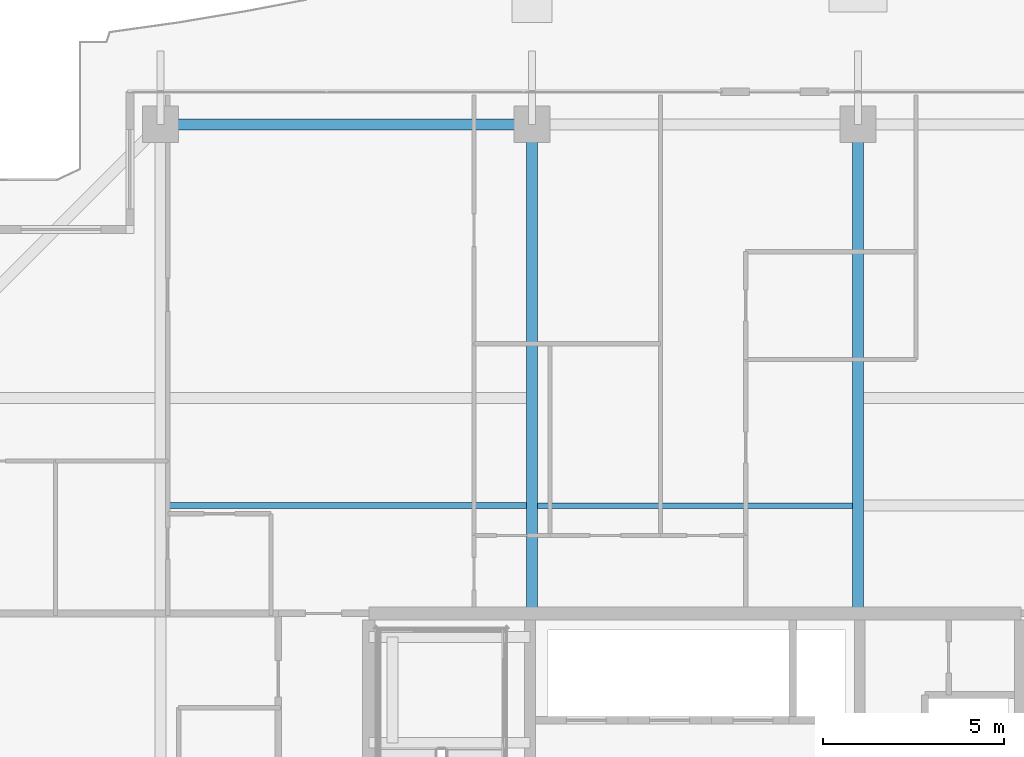
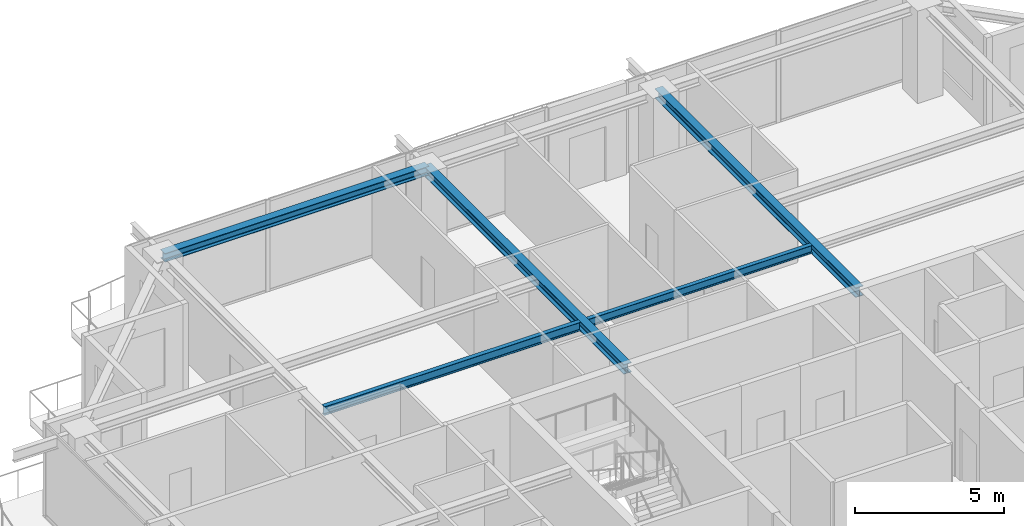
# One storey, part 19 of 37: 5 beams.
"""IFC4 building model written with IfcOpenShell, lengths in metres."""

from ifc_helpers import new_model, si_unit, direction, frame, origin, origin_2d, place, context, subcontext, project, spatial, i_section, extrude, source, transform, mapped, material, material_profile, profile_set, type_object, element, save


model = new_model("IFC4")

# Units and contexts
model_context = context("Model", 3, precision=1e-05, world=origin(), true_north=direction((0.0, 1.0)))
body_context = subcontext(model_context, "Body", "Model", "MODEL_VIEW")
ifc_project = project(units=[si_unit("LENGTHUNIT", "METRE"), si_unit("AREAUNIT", "SQUARE_METRE"), si_unit("VOLUMEUNIT", "CUBIC_METRE"), si_unit("PLANEANGLEUNIT", "RADIAN"), si_unit("MASSUNIT", "GRAM", prefix="KILO")], contexts=[model_context])

# Site, building, storey
site_placement = place(None, origin())
site = spatial("IfcSite", under=ifc_project, at=site_placement, CompositionType="ELEMENT")
building_placement = place(site_placement, origin())
building = spatial("IfcBuilding", under=site, at=building_placement, Name="Serunith Strait Residences", CompositionType="ELEMENT")
storey_placement = place(building_placement, frame((0.0, 0.0, 317.75)))
storey = spatial("IfcBuildingStorey", under=building, at=storey_placement, Name="L79", CompositionType="ELEMENT", Elevation=317.75)

# Beams
ifc_material = material(Name="Steel S355J2", Category="steel")
ifc_material_profile_1 = material_profile(ifc_material, i_section(OverallWidth=0.159912109375, OverallDepth=0.330078125, WebThickness=0.007568359375, FlangeThickness=0.011474609375, FilletRadius=0.01806640625, at=origin_2d()), Name="IPE 330")
ifc_profile_set_1 = profile_set([ifc_material_profile_1], Name="Steel S355J2")
beam_type_1 = type_object("IfcBeamType", Name="BM-IPE330", PredefinedType="JOIST", material=ifc_profile_set_1)
shared_shape_1 = source(origin(), body_context, "Body", "SweptSolid", [
    extrude(i_section(OverallWidth=0.159912109375, OverallDepth=0.330078125, WebThickness=0.007568359375, FlangeThickness=0.011474609375, FilletRadius=0.01806640625, at=origin_2d()), origin(), (0.0, 0.0, 1.0), 8.699951171875),
])
beam_1_placement = place(storey_placement, frame((28.050048828125, 36.574951171875, 3.6220703125), z_axis=(1.0, 0.0, 0.0), x_axis=(0.0, 1.0, 0.0)))
element("IfcBeam", 1, at=beam_1_placement, inside=storey, type_object=beam_type_1, Name="L79 Composite Floor Joist 05", PredefinedType="JOIST", context=body_context, shape_type="MappedRepresentation", body=[
    mapped(shared_shape_1, transform((0.0, 0.0, 0.0), scale=1.0)),
])
ifc_material_profile_2 = material_profile(ifc_material, i_section(OverallWidth=0.169921875, OverallDepth=0.360107421875, WebThickness=0.008056640625, FlangeThickness=0.0126953125, FilletRadius=0.01806640625, at=origin_2d()), Name="IPE 360")
ifc_profile_set_2 = profile_set([ifc_material_profile_2], Name="Steel S355J2")
beam_type_2 = type_object("IfcBeamType", Name="BM-IPE360", PredefinedType="JOIST", material=ifc_profile_set_2)
shared_shape_2 = source(origin(), body_context, "Body", "SweptSolid", [
    extrude(i_section(OverallWidth=0.169921875, OverallDepth=0.360107421875, WebThickness=0.008056640625, FlangeThickness=0.0126953125, FilletRadius=0.01806640625, at=origin_2d()), origin(), (0.0, 0.0, 1.0), 9.949951171875),
])
beam_2_placement = place(storey_placement, frame((17.800048828125, 36.574951171875, 3.60693359375), z_axis=(1.0, 0.0, 0.0), x_axis=(0.0, 1.0, 0.0)))
element("IfcBeam", 2, at=beam_2_placement, inside=storey, type_object=beam_type_2, Name="L79 Composite Floor Joist 04", PredefinedType="JOIST", context=body_context, shape_type="MappedRepresentation", body=[
    mapped(shared_shape_2, transform((0.0, 0.0, 0.0), scale=1.0)),
])
ifc_material_profile_3 = material_profile(ifc_material, i_section(OverallWidth=0.300048828125, OverallDepth=0.39990234375, WebThickness=0.013427734375, FlangeThickness=0.02392578125, FilletRadius=0.027099609375, at=origin_2d()), Name="HEB 400")
ifc_profile_set_3 = profile_set([ifc_material_profile_3], Name="Steel S355J2")
beam_type_3 = type_object("IfcBeamType", Name="BM-HEB400", PredefinedType="BEAM", material=ifc_profile_set_3)
shared_shape_3 = source(origin(), body_context, "Body", "SweptSolid", [
    extrude(i_section(OverallWidth=0.300048828125, OverallDepth=0.39990234375, WebThickness=0.013427734375, FlangeThickness=0.02392578125, FilletRadius=0.027099609375, at=origin_2d()), origin(), (0.0, 0.0, 1.0), 13.5),
])
for number, where, z_axis, x_axis, name in (
    (3, (27.89990234375, 33.60009765625, 3.5869140625), (0.0, 1.0, 0.0), (-1.0, 0.0, 0.0), "L79 Primary Floor Girder TC-N2"),
    (4, (36.89990234375, 33.60009765625, 3.5869140625), (0.0, 1.0, 0.0), (-1.0, 0.0, 0.0), "L79 Primary Floor Girder TC-N3"),
):
    element("IfcBeam", number, at=place(storey_placement, frame(where, z_axis=z_axis, x_axis=x_axis)), inside=storey, type_object=beam_type_3, Name=name, PredefinedType="BEAM", context=body_context, shape_type="MappedRepresentation", body=[
        mapped(shared_shape_3, transform((0.0, 0.0, 0.0), scale=1.0)),
    ])
ifc_material_profile_4 = material_profile(ifc_material, i_section(OverallWidth=0.300048828125, OverallDepth=0.360107421875, WebThickness=0.012451171875, FlangeThickness=0.0224609375, FilletRadius=0.027099609375, at=origin_2d()), Name="HEB 360")
ifc_profile_set_4 = profile_set([ifc_material_profile_4], Name="Steel S355J2")
beam_type_4 = type_object("IfcBeamType", Name="BM-HEB360", PredefinedType="BEAM", material=ifc_profile_set_4)
shared_shape_4 = source(origin(), body_context, "Body", "SweptSolid", [
    extrude(i_section(OverallWidth=0.300048828125, OverallDepth=0.360107421875, WebThickness=0.012451171875, FlangeThickness=0.0224609375, FilletRadius=0.027099609375, at=origin_2d()), origin(), (0.0, 0.0, 1.0), 10.25),
])
beam_3_placement = place(storey_placement, frame((27.89990234375, 47.10009765625, 3.60693359375), z_axis=(-1.0, 0.0, 0.0), x_axis=(0.0, -1.0, 0.0)))
element("IfcBeam", 5, at=beam_3_placement, inside=storey, type_object=beam_type_4, Name="L79 Perimeter Ring Beam 11", PredefinedType="BEAM", context=body_context, shape_type="MappedRepresentation", body=[
    mapped(shared_shape_4, transform((0.0, 0.0, 0.0), scale=1.0)),
])

save(model, "model.ifc")
